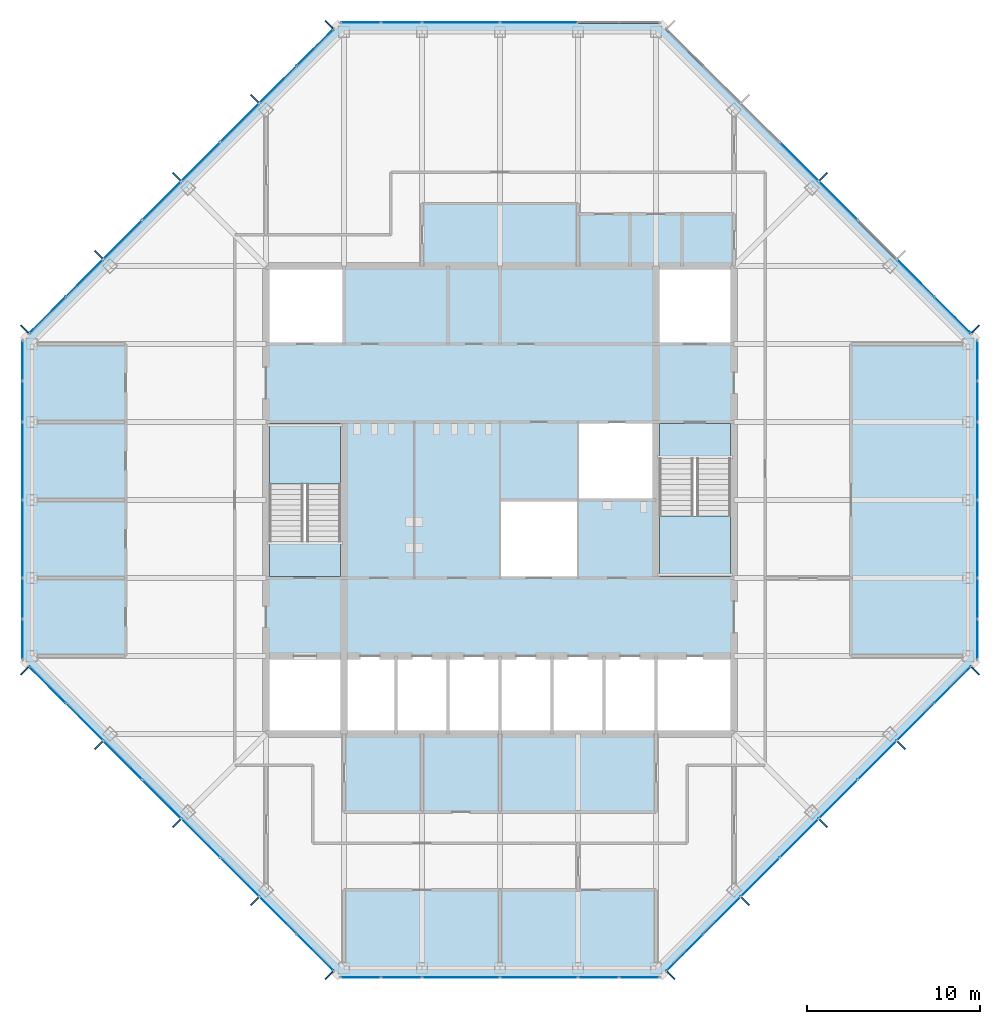
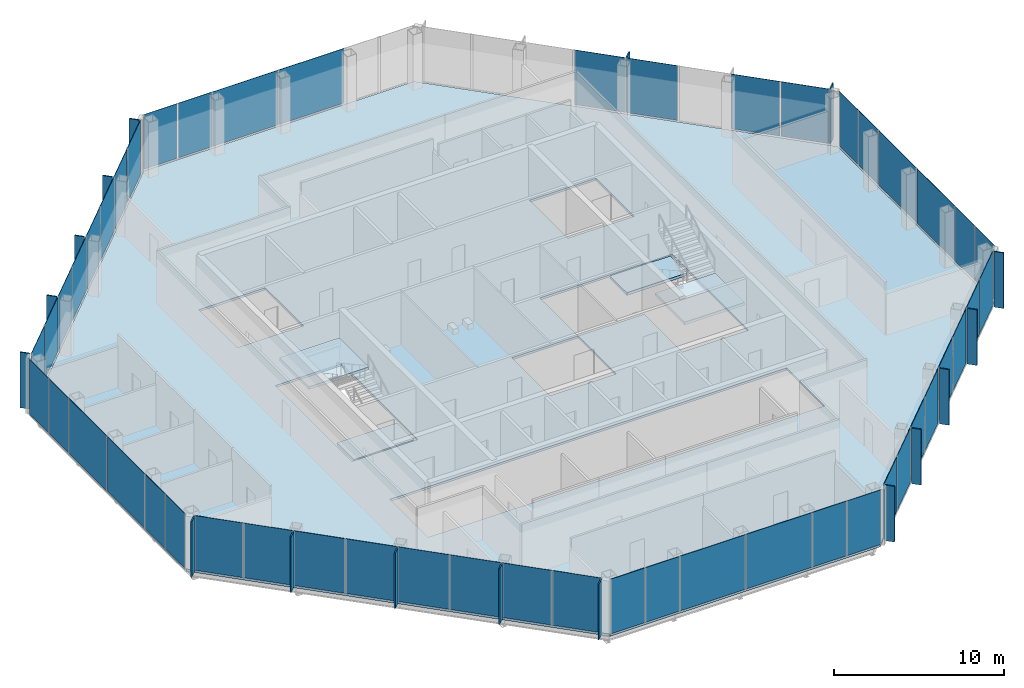
# One storey, part 8 of 14: 67 plates, 5 slabs, 10 elements without a shape of their own.
"""IFC4 building model written with IfcOpenShell, lengths in metres."""

from ifc_helpers import new_model, si_unit, direction, frame, origin, origin_2d, place, context, subcontext, project, spatial, polyline, rectangle, outline, extrude, material, layer, layer_set, type_object, element, aggregate, save


model = new_model("IFC4")

# Units and contexts
model_context = context("Model", 3, precision=1e-05, world=origin(), true_north=direction((0.0, 1.0)))
body_context = subcontext(model_context, "Body", "Model", "MODEL_VIEW")
ifc_project = project(units=[si_unit("LENGTHUNIT", "METRE"), si_unit("AREAUNIT", "SQUARE_METRE"), si_unit("VOLUMEUNIT", "CUBIC_METRE"), si_unit("PLANEANGLEUNIT", "RADIAN"), si_unit("MASSUNIT", "GRAM", prefix="KILO")], contexts=[model_context])

# Site, building, storey
site_placement = place(None, origin())
site = spatial("IfcSite", under=ifc_project, at=site_placement, CompositionType="ELEMENT")
building_placement = place(site_placement, origin())
building = spatial("IfcBuilding", under=site, at=building_placement, Name="Corais Broadcast Tower", CompositionType="ELEMENT")
storey_placement = place(building_placement, frame((0.0, 0.0, 230.60009765625)))
storey = spatial("IfcBuildingStorey", under=building, at=storey_placement, Name="L53", CompositionType="ELEMENT", Elevation=230.60009765625)

# Slab
ifc_material_1 = material(Name="Concrete C30/37", Category="concrete")
ifc_layer_1 = layer(ifc_material_1, 0.159912109375)
ifc_layer_set_1 = layer_set([ifc_layer_1], Name="Concrete C30/37")
slab_type_1 = type_object("IfcSlabType", Name="Composite floor slab 160", PredefinedType="FLOOR", material=ifc_layer_set_1)
slab_1_placement = place(storey_placement, frame((0.0, 0.0, -0.16015625)))
element("IfcSlab", 1, at=slab_1_placement, inside=storey, type_object=slab_type_1, Name="S160 floor slab L53", PredefinedType="FLOOR", context=body_context, shape_type="SweptSolid", body=[
    extrude(outline(polyline([(17.80126953125, -0.47998046875), (-0.47998046875, 17.80126953125), (-0.47998046875, 36.19873046875), (17.80126953125, 54.47998046875), (36.19873046875, 54.47998046875), (54.47998046875, 36.19873046875), (54.47998046875, 17.80126953125), (36.19873046875, -0.47998046875), (17.80126953125, -0.47998046875)]), holes=[polyline([(13.5, 18.0), (40.5, 18.0), (40.5, 13.5), (13.5, 13.5), (13.5, 18.0)]), polyline([(18.0, 22.5), (13.5, 22.5), (13.5, 31.5), (18.0, 31.5), (18.0, 22.5)]), polyline([(18.0, 36.0), (13.5, 36.0), (13.5, 40.5), (18.0, 40.5), (18.0, 36.0)]), polyline([(31.5, 22.5), (27.0, 22.5), (27.0, 27.0), (31.4951171875, 27.0), (31.4951171875, 27.0048828125), (31.5, 27.0048828125), (31.5, 31.5), (40.5, 31.5), (40.5, 22.5), (36.0, 22.5), (36.0, 27.0), (31.5048828125, 27.0), (31.5048828125, 26.9951171875), (31.5, 26.9951171875), (31.5, 22.5)]), polyline([(40.5, 36.0), (36.0, 36.0), (36.0, 40.5), (40.5, 40.5), (40.5, 36.0)])]), origin(), (0.0, 0.0, 1.0), 0.16015625),
])

# Curtain wall, plates
ifc_material_2 = material(Name="Aluminium and glass", Category="aluminium")
curtain_wall_type = type_object("IfcCurtainWallType", Name="Unitised fritted curtain wall CW3", PredefinedType="NOTDEFINED", material=ifc_material_2)
curtain_wall_1_placement = place(storey_placement, origin())
curtain_wall_1 = element("IfcCurtainWall", 2, at=curtain_wall_1_placement, inside=storey, type_object=curtain_wall_type, Name="CW3 curtain wall L53 1", PredefinedType="NOTDEFINED")
ifc_material_3 = material(Name="Ceramic-fritted laminated glass", Category="glass")
ifc_layer_2 = layer(ifc_material_3, 0.02587890625)
ifc_layer_set_2 = layer_set([ifc_layer_2], Name="Ceramic-fritted laminated glass")
plate_type_1 = type_object("IfcPlateType", Name="Fritted glass panel CW3", PredefinedType="CURTAIN_PANEL", material=ifc_layer_set_2)
plate_1_placement = place(storey_placement, frame((16.330322265625, 0.891845703125, 0.06494140625), z_axis=(0.0, 0.0, 1.0), x_axis=(-0.707106781187, 0.707106781187, 0.0)))
plate_1 = element("IfcPlate", 3, at=plate_1_placement, type_object=plate_type_1, Name="CW3 panel 1", PredefinedType="CURTAIN_PANEL", context=body_context, shape_type="SweptSolid", body=[
    extrude(rectangle(XDim=2.9482421875, YDim=0.02587890625, at=origin_2d()), origin(), (0.0, 0.0, 1.0), 3.93505859375),
])
plate_2_placement = place(storey_placement, frame((11.986083984375, 5.236083984375, 0.06494140625), z_axis=(0.0, 0.0, 1.0), x_axis=(-0.707106781187, 0.707106781187, 0.0)))
plate_2 = element("IfcPlate", 4, at=plate_2_placement, type_object=plate_type_1, Name="CW3 panel 3", PredefinedType="CURTAIN_PANEL", context=body_context, shape_type="SweptSolid", body=[
    extrude(rectangle(XDim=3.116943359375, YDim=0.02587890625, at=origin_2d()), origin(), (0.0, 0.0, 1.0), 3.93505859375),
])
plate_3_placement = place(storey_placement, frame((7.486083984375, 9.736083984375, 0.06494140625), z_axis=(0.0, 0.0, 1.0), x_axis=(-0.707106781187, 0.707106781187, 0.0)))
plate_3 = element("IfcPlate", 5, at=plate_3_placement, type_object=plate_type_1, Name="CW3 panel 5", PredefinedType="CURTAIN_PANEL", context=body_context, shape_type="SweptSolid", body=[
    extrude(rectangle(XDim=3.116943359375, YDim=0.02587890625, at=origin_2d()), origin(), (0.0, 0.0, 1.0), 3.93505859375),
])
plate_4_placement = place(storey_placement, frame((3.0341796875, 14.18798828125, 0.06494140625), z_axis=(0.0, 0.0, 1.0), x_axis=(-0.707106781187, 0.707106781187, 0.0)))
plate_4 = element("IfcPlate", 6, at=plate_4_placement, type_object=plate_type_1, Name="CW3 panel 7", PredefinedType="CURTAIN_PANEL", context=body_context, shape_type="SweptSolid", body=[
    extrude(rectangle(XDim=2.98095703125, YDim=0.02587890625, at=origin_2d()), origin(), (0.0, 0.0, 1.0), 3.93505859375),
])

curtain_wall_2_placement = place(storey_placement, origin())
curtain_wall_2 = element("IfcCurtainWall", 7, at=curtain_wall_2_placement, inside=storey, type_object=curtain_wall_type, Name="CW3 curtain wall L53 2", PredefinedType="NOTDEFINED")
plate_5_placement = place(storey_placement, frame((-0.550048828125, 18.970458984375, 0.06494140625), z_axis=(0.0, 0.0, 1.0), x_axis=(0.0, 1.0, 0.0)))
plate_5 = element("IfcPlate", 8, at=plate_5_placement, type_object=plate_type_1, Name="CW3 panel 1", PredefinedType="CURTAIN_PANEL", context=body_context, shape_type="SweptSolid", body=[
    extrude(rectangle(XDim=2.266357421875, YDim=0.02587890625, at=origin_2d()), origin(), (0.0, 0.0, 1.0), 3.93505859375),
])
plate_6_placement = place(storey_placement, frame((-0.550048828125, 24.75, 0.06494140625), z_axis=(0.0, 0.0, 1.0), x_axis=(0.0, 1.0, 0.0)))
plate_6 = element("IfcPlate", 9, at=plate_6_placement, type_object=plate_type_1, Name="CW3 panel 3", PredefinedType="CURTAIN_PANEL", context=body_context, shape_type="SweptSolid", body=[
    extrude(rectangle(XDim=4.43505859375, YDim=0.02587890625, at=origin_2d()), origin(), (0.0, 0.0, 1.0), 3.93505859375),
])
plate_7_placement = place(storey_placement, frame((-0.550048828125, 32.681884765625, 0.06494140625), z_axis=(0.0, 0.0, 1.0), x_axis=(0.0, 1.0, 0.0)))
plate_7 = element("IfcPlate", 10, at=plate_7_placement, type_object=plate_type_1, Name="CW3 panel 5", PredefinedType="CURTAIN_PANEL", context=body_context, shape_type="SweptSolid", body=[
    extrude(rectangle(XDim=2.298828125, YDim=0.02587890625, at=origin_2d()), origin(), (0.0, 0.0, 1.0), 3.93505859375),
])

curtain_wall_3_placement = place(storey_placement, origin())
curtain_wall_3 = element("IfcCurtainWall", 11, at=curtain_wall_3_placement, inside=storey, type_object=curtain_wall_type, Name="CW3 curtain wall L53 3", PredefinedType="NOTDEFINED")
plate_8_placement = place(storey_placement, frame((0.891845703125, 37.669677734375, 0.06494140625), z_axis=(0.0, 0.0, 1.0), x_axis=(0.707106781187, 0.707106781187, 0.0)))
plate_8 = element("IfcPlate", 12, at=plate_8_placement, type_object=plate_type_1, Name="CW3 panel 1", PredefinedType="CURTAIN_PANEL", context=body_context, shape_type="SweptSolid", body=[
    extrude(rectangle(XDim=2.9482421875, YDim=0.02587890625, at=origin_2d()), origin(), (0.0, 0.0, 1.0), 3.93505859375),
])
plate_9_placement = place(storey_placement, frame((5.236083984375, 42.013916015625, 0.06494140625), z_axis=(0.0, 0.0, 1.0), x_axis=(0.707106781187, 0.707106781187, 0.0)))
plate_9 = element("IfcPlate", 13, at=plate_9_placement, type_object=plate_type_1, Name="CW3 panel 3", PredefinedType="CURTAIN_PANEL", context=body_context, shape_type="SweptSolid", body=[
    extrude(rectangle(XDim=3.116943359375, YDim=0.02587890625, at=origin_2d()), origin(), (0.0, 0.0, 1.0), 3.93505859375),
])
plate_10_placement = place(storey_placement, frame((9.736083984375, 46.513916015625, 0.06494140625), z_axis=(0.0, 0.0, 1.0), x_axis=(0.707106781187, 0.707106781187, 0.0)))
plate_10 = element("IfcPlate", 14, at=plate_10_placement, type_object=plate_type_1, Name="CW3 panel 5", PredefinedType="CURTAIN_PANEL", context=body_context, shape_type="SweptSolid", body=[
    extrude(rectangle(XDim=3.116943359375, YDim=0.02587890625, at=origin_2d()), origin(), (0.0, 0.0, 1.0), 3.93505859375),
])
plate_11_placement = place(storey_placement, frame((14.18798828125, 50.9658203125, 0.06494140625), z_axis=(0.0, 0.0, 1.0), x_axis=(0.707106781187, 0.707106781187, 0.0)))
plate_11 = element("IfcPlate", 15, at=plate_11_placement, type_object=plate_type_1, Name="CW3 panel 7", PredefinedType="CURTAIN_PANEL", context=body_context, shape_type="SweptSolid", body=[
    extrude(rectangle(XDim=2.98095703125, YDim=0.02587890625, at=origin_2d()), origin(), (0.0, 0.0, 1.0), 3.93505859375),
])

curtain_wall_4_placement = place(storey_placement, origin())
curtain_wall_4 = element("IfcCurtainWall", 16, at=curtain_wall_4_placement, inside=storey, type_object=curtain_wall_type, Name="CW3 curtain wall L53 4", PredefinedType="NOTDEFINED")
plate_12_placement = place(storey_placement, frame((18.970458984375, 54.550048828125, 0.06494140625), z_axis=(0.0, 0.0, 1.0), x_axis=(1.0, 0.0, 0.0)))
plate_12 = element("IfcPlate", 17, at=plate_12_placement, type_object=plate_type_1, Name="CW3 panel 1", PredefinedType="CURTAIN_PANEL", context=body_context, shape_type="SweptSolid", body=[
    extrude(rectangle(XDim=2.266357421875, YDim=0.02587890625, at=origin_2d()), origin(), (0.0, 0.0, 1.0), 3.93505859375),
])
plate_13_placement = place(storey_placement, frame((24.75, 54.550048828125, 0.06494140625), z_axis=(0.0, 0.0, 1.0), x_axis=(1.0, 0.0, 0.0)))
plate_13 = element("IfcPlate", 18, at=plate_13_placement, type_object=plate_type_1, Name="CW3 panel 3", PredefinedType="CURTAIN_PANEL", context=body_context, shape_type="SweptSolid", body=[
    extrude(rectangle(XDim=4.43505859375, YDim=0.02587890625, at=origin_2d()), origin(), (0.0, 0.0, 1.0), 3.93505859375),
])

curtain_wall_5_placement = place(storey_placement, origin())
curtain_wall_5 = element("IfcCurtainWall", 19, at=curtain_wall_5_placement, inside=storey, type_object=curtain_wall_type, Name="CW3 curtain wall L53 5", PredefinedType="NOTDEFINED")
plate_14_placement = place(storey_placement, frame((46.513916015625, 44.263916015625, 0.06494140625), z_axis=(0.0, 0.0, 1.0), x_axis=(0.707106781187, -0.707106781187, 0.0)))
plate_14 = element("IfcPlate", 20, at=plate_14_placement, type_object=plate_type_1, Name="CW3 panel 5", PredefinedType="CURTAIN_PANEL", context=body_context, shape_type="SweptSolid", body=[
    extrude(rectangle(XDim=3.116943359375, YDim=0.02587890625, at=origin_2d()), origin(), (0.0, 0.0, 1.0), 3.93505859375),
])
plate_15_placement = place(storey_placement, frame((50.9658203125, 39.81201171875, 0.06494140625), z_axis=(0.0, 0.0, 1.0), x_axis=(0.707106781187, -0.707106781187, 0.0)))
plate_15 = element("IfcPlate", 21, at=plate_15_placement, type_object=plate_type_1, Name="CW3 panel 7", PredefinedType="CURTAIN_PANEL", context=body_context, shape_type="SweptSolid", body=[
    extrude(rectangle(XDim=2.98095703125, YDim=0.02587890625, at=origin_2d()), origin(), (0.0, 0.0, 1.0), 3.93505859375),
])

curtain_wall_6_placement = place(storey_placement, origin())
curtain_wall_6 = element("IfcCurtainWall", 22, at=curtain_wall_6_placement, inside=storey, type_object=curtain_wall_type, Name="CW3 curtain wall L53 6", PredefinedType="NOTDEFINED")
plate_16_placement = place(storey_placement, frame((54.550048828125, 35.029541015625, 0.06494140625), z_axis=(0.0, 0.0, 1.0), x_axis=(0.0, -1.0, 0.0)))
plate_16 = element("IfcPlate", 23, at=plate_16_placement, type_object=plate_type_1, Name="CW3 panel 1", PredefinedType="CURTAIN_PANEL", context=body_context, shape_type="SweptSolid", body=[
    extrude(rectangle(XDim=2.266357421875, YDim=0.02587890625, at=origin_2d()), origin(), (0.0, 0.0, 1.0), 3.93505859375),
])
plate_17_placement = place(storey_placement, frame((54.550048828125, 29.25, 0.06494140625), z_axis=(0.0, 0.0, 1.0), x_axis=(0.0, -1.0, 0.0)))
plate_17 = element("IfcPlate", 24, at=plate_17_placement, type_object=plate_type_1, Name="CW3 panel 3", PredefinedType="CURTAIN_PANEL", context=body_context, shape_type="SweptSolid", body=[
    extrude(rectangle(XDim=4.43505859375, YDim=0.02587890625, at=origin_2d()), origin(), (0.0, 0.0, 1.0), 3.93505859375),
])
plate_18_placement = place(storey_placement, frame((54.550048828125, 21.318115234375, 0.06494140625), z_axis=(0.0, 0.0, 1.0), x_axis=(0.0, -1.0, 0.0)))
plate_18 = element("IfcPlate", 25, at=plate_18_placement, type_object=plate_type_1, Name="CW3 panel 5", PredefinedType="CURTAIN_PANEL", context=body_context, shape_type="SweptSolid", body=[
    extrude(rectangle(XDim=2.298828125, YDim=0.02587890625, at=origin_2d()), origin(), (0.0, 0.0, 1.0), 3.93505859375),
])

curtain_wall_7_placement = place(storey_placement, origin())
curtain_wall_7 = element("IfcCurtainWall", 26, at=curtain_wall_7_placement, inside=storey, type_object=curtain_wall_type, Name="CW3 curtain wall L53 7", PredefinedType="NOTDEFINED")
plate_19_placement = place(storey_placement, frame((53.108154296875, 16.330322265625, 0.06494140625), z_axis=(0.0, 0.0, 1.0), x_axis=(-0.707106781187, -0.707106781187, 0.0)))
plate_19 = element("IfcPlate", 27, at=plate_19_placement, type_object=plate_type_1, Name="CW3 panel 1", PredefinedType="CURTAIN_PANEL", context=body_context, shape_type="SweptSolid", body=[
    extrude(rectangle(XDim=2.9482421875, YDim=0.02587890625, at=origin_2d()), origin(), (0.0, 0.0, 1.0), 3.93505859375),
])
plate_20_placement = place(storey_placement, frame((48.763916015625, 11.986083984375, 0.06494140625), z_axis=(0.0, 0.0, 1.0), x_axis=(-0.707106781187, -0.707106781187, 0.0)))
plate_20 = element("IfcPlate", 28, at=plate_20_placement, type_object=plate_type_1, Name="CW3 panel 3", PredefinedType="CURTAIN_PANEL", context=body_context, shape_type="SweptSolid", body=[
    extrude(rectangle(XDim=3.116943359375, YDim=0.02587890625, at=origin_2d()), origin(), (0.0, 0.0, 1.0), 3.93505859375),
])
plate_21_placement = place(storey_placement, frame((44.263916015625, 7.486083984375, 0.06494140625), z_axis=(0.0, 0.0, 1.0), x_axis=(-0.707106781187, -0.707106781187, 0.0)))
plate_21 = element("IfcPlate", 29, at=plate_21_placement, type_object=plate_type_1, Name="CW3 panel 5", PredefinedType="CURTAIN_PANEL", context=body_context, shape_type="SweptSolid", body=[
    extrude(rectangle(XDim=3.116943359375, YDim=0.02587890625, at=origin_2d()), origin(), (0.0, 0.0, 1.0), 3.93505859375),
])
plate_22_placement = place(storey_placement, frame((39.81201171875, 3.0341796875, 0.06494140625), z_axis=(0.0, 0.0, 1.0), x_axis=(-0.707106781187, -0.707106781187, 0.0)))
plate_22 = element("IfcPlate", 30, at=plate_22_placement, type_object=plate_type_1, Name="CW3 panel 7", PredefinedType="CURTAIN_PANEL", context=body_context, shape_type="SweptSolid", body=[
    extrude(rectangle(XDim=2.98095703125, YDim=0.02587890625, at=origin_2d()), origin(), (0.0, 0.0, 1.0), 3.93505859375),
])

curtain_wall_8_placement = place(storey_placement, origin())
curtain_wall_8 = element("IfcCurtainWall", 31, at=curtain_wall_8_placement, inside=storey, type_object=curtain_wall_type, Name="CW3 curtain wall L53 8", PredefinedType="NOTDEFINED")
plate_23_placement = place(storey_placement, frame((35.029541015625, -0.550048828125, 0.06494140625), z_axis=(0.0, 0.0, 1.0), x_axis=(-1.0, 0.0, 0.0)))
plate_23 = element("IfcPlate", 32, at=plate_23_placement, type_object=plate_type_1, Name="CW3 panel 1", PredefinedType="CURTAIN_PANEL", context=body_context, shape_type="SweptSolid", body=[
    extrude(rectangle(XDim=2.266357421875, YDim=0.02587890625, at=origin_2d()), origin(), (0.0, 0.0, 1.0), 3.93505859375),
])
plate_24_placement = place(storey_placement, frame((29.25, -0.550048828125, 0.06494140625), z_axis=(0.0, 0.0, 1.0), x_axis=(-1.0, 0.0, 0.0)))
plate_24 = element("IfcPlate", 33, at=plate_24_placement, type_object=plate_type_1, Name="CW3 panel 3", PredefinedType="CURTAIN_PANEL", context=body_context, shape_type="SweptSolid", body=[
    extrude(rectangle(XDim=4.43505859375, YDim=0.02587890625, at=origin_2d()), origin(), (0.0, 0.0, 1.0), 3.93505859375),
])
plate_25_placement = place(storey_placement, frame((21.318115234375, -0.550048828125, 0.06494140625), z_axis=(0.0, 0.0, 1.0), x_axis=(-1.0, 0.0, 0.0)))
plate_25 = element("IfcPlate", 34, at=plate_25_placement, type_object=plate_type_1, Name="CW3 panel 5", PredefinedType="CURTAIN_PANEL", context=body_context, shape_type="SweptSolid", body=[
    extrude(rectangle(XDim=2.298828125, YDim=0.02587890625, at=origin_2d()), origin(), (0.0, 0.0, 1.0), 3.93505859375),
])

# Plate
ifc_material_4 = material(Name="Clear laminated glass", Category="glass")
ifc_layer_3 = layer(ifc_material_4, 0.030029296875)
ifc_layer_set_3 = layer_set([ifc_layer_3], Name="Clear laminated glass")
plate_type_2 = type_object("IfcPlateType", Name="Operable glass panel CW3", PredefinedType="CURTAIN_PANEL", material=ifc_layer_set_3)
plate_26_placement = place(storey_placement, frame((14.18798828125, 3.0341796875, 0.06494140625), z_axis=(0.0, 0.0, 1.0), x_axis=(-0.707106781187, 0.707106781187, 0.0)))
plate_26 = element("IfcPlate", 35, at=plate_26_placement, type_object=plate_type_2, Name="CW3 operable panel 2", PredefinedType="CURTAIN_PANEL", context=body_context, shape_type="SweptSolid", body=[
    extrude(rectangle(XDim=2.98095703125, YDim=0.030029296875, at=origin_2d()), origin(), (0.0, 0.0, 1.0), 3.93505859375),
])

plate_27_placement = place(storey_placement, frame((9.736083984375, 7.486083984375, 0.06494140625), z_axis=(0.0, 0.0, 1.0), x_axis=(-0.707106781187, 0.707106781187, 0.0)))
plate_27 = element("IfcPlate", 36, at=plate_27_placement, type_object=plate_type_2, Name="CW3 operable panel 4", PredefinedType="CURTAIN_PANEL", context=body_context, shape_type="SweptSolid", body=[
    extrude(rectangle(XDim=3.116943359375, YDim=0.030029296875, at=origin_2d()), origin(), (0.0, 0.0, 1.0), 3.93505859375),
])

plate_28_placement = place(storey_placement, frame((5.236083984375, 11.986083984375, 0.06494140625), z_axis=(0.0, 0.0, 1.0), x_axis=(-0.707106781187, 0.707106781187, 0.0)))
plate_28 = element("IfcPlate", 37, at=plate_28_placement, type_object=plate_type_2, Name="CW3 operable panel 6", PredefinedType="CURTAIN_PANEL", context=body_context, shape_type="SweptSolid", body=[
    extrude(rectangle(XDim=3.116943359375, YDim=0.030029296875, at=origin_2d()), origin(), (0.0, 0.0, 1.0), 3.93505859375),
])

plate_29_placement = place(storey_placement, frame((0.89208984375, 16.330322265625, 0.06494140625), z_axis=(0.0, 0.0, 1.0), x_axis=(-0.707106781187, 0.707106781187, 0.0)))
plate_29 = element("IfcPlate", 38, at=plate_29_placement, type_object=plate_type_2, Name="CW3 operable panel 8", PredefinedType="CURTAIN_PANEL", context=body_context, shape_type="SweptSolid", body=[
    extrude(rectangle(XDim=2.948486328125, YDim=0.030029296875, at=origin_2d()), origin(), (0.0, 0.0, 1.0), 3.93505859375),
])

aggregate(curtain_wall_1, [plate_1, plate_26, plate_2, plate_27, plate_3, plate_28, plate_4, plate_29])

plate_30_placement = place(storey_placement, frame((-0.550048828125, 21.318115234375, 0.06494140625), z_axis=(0.0, 0.0, 1.0), x_axis=(0.0, 1.0, 0.0)))
plate_30 = element("IfcPlate", 39, at=plate_30_placement, type_object=plate_type_2, Name="CW3 operable panel 2", PredefinedType="CURTAIN_PANEL", context=body_context, shape_type="SweptSolid", body=[
    extrude(rectangle(XDim=2.298828125, YDim=0.030029296875, at=origin_2d()), origin(), (0.0, 0.0, 1.0), 3.93505859375),
])

plate_31_placement = place(storey_placement, frame((-0.550048828125, 29.25, 0.06494140625), z_axis=(0.0, 0.0, 1.0), x_axis=(0.0, 1.0, 0.0)))
plate_31 = element("IfcPlate", 40, at=plate_31_placement, type_object=plate_type_2, Name="CW3 operable panel 4", PredefinedType="CURTAIN_PANEL", context=body_context, shape_type="SweptSolid", body=[
    extrude(rectangle(XDim=4.43505859375, YDim=0.030029296875, at=origin_2d()), origin(), (0.0, 0.0, 1.0), 3.93505859375),
])

plate_32_placement = place(storey_placement, frame((-0.550048828125, 35.029541015625, 0.06494140625), z_axis=(0.0, 0.0, 1.0), x_axis=(0.0, 1.0, 0.0)))
plate_32 = element("IfcPlate", 41, at=plate_32_placement, type_object=plate_type_2, Name="CW3 operable panel 6", PredefinedType="CURTAIN_PANEL", context=body_context, shape_type="SweptSolid", body=[
    extrude(rectangle(XDim=2.266357421875, YDim=0.030029296875, at=origin_2d()), origin(), (0.0, 0.0, 1.0), 3.93505859375),
])

aggregate(curtain_wall_2, [plate_5, plate_30, plate_6, plate_31, plate_7, plate_32])

plate_33_placement = place(storey_placement, frame((3.0341796875, 39.81201171875, 0.06494140625), z_axis=(0.0, 0.0, 1.0), x_axis=(0.707106781187, 0.707106781187, 0.0)))
plate_33 = element("IfcPlate", 42, at=plate_33_placement, type_object=plate_type_2, Name="CW3 operable panel 2", PredefinedType="CURTAIN_PANEL", context=body_context, shape_type="SweptSolid", body=[
    extrude(rectangle(XDim=2.98095703125, YDim=0.030029296875, at=origin_2d()), origin(), (0.0, 0.0, 1.0), 3.93505859375),
])

plate_34_placement = place(storey_placement, frame((7.486083984375, 44.263916015625, 0.06494140625), z_axis=(0.0, 0.0, 1.0), x_axis=(0.707106781187, 0.707106781187, 0.0)))
plate_34 = element("IfcPlate", 43, at=plate_34_placement, type_object=plate_type_2, Name="CW3 operable panel 4", PredefinedType="CURTAIN_PANEL", context=body_context, shape_type="SweptSolid", body=[
    extrude(rectangle(XDim=3.116943359375, YDim=0.030029296875, at=origin_2d()), origin(), (0.0, 0.0, 1.0), 3.93505859375),
])

plate_35_placement = place(storey_placement, frame((11.986083984375, 48.763916015625, 0.06494140625), z_axis=(0.0, 0.0, 1.0), x_axis=(0.707106781187, 0.707106781187, 0.0)))
plate_35 = element("IfcPlate", 44, at=plate_35_placement, type_object=plate_type_2, Name="CW3 operable panel 6", PredefinedType="CURTAIN_PANEL", context=body_context, shape_type="SweptSolid", body=[
    extrude(rectangle(XDim=3.116943359375, YDim=0.030029296875, at=origin_2d()), origin(), (0.0, 0.0, 1.0), 3.93505859375),
])

plate_36_placement = place(storey_placement, frame((16.330322265625, 53.10791015625, 0.06494140625), z_axis=(0.0, 0.0, 1.0), x_axis=(0.707106781187, 0.707106781187, 0.0)))
plate_36 = element("IfcPlate", 45, at=plate_36_placement, type_object=plate_type_2, Name="CW3 operable panel 8", PredefinedType="CURTAIN_PANEL", context=body_context, shape_type="SweptSolid", body=[
    extrude(rectangle(XDim=2.948486328125, YDim=0.030029296875, at=origin_2d()), origin(), (0.0, 0.0, 1.0), 3.93505859375),
])

aggregate(curtain_wall_3, [plate_8, plate_33, plate_9, plate_34, plate_10, plate_35, plate_11, plate_36])

plate_37_placement = place(storey_placement, frame((21.318115234375, 54.550048828125, 0.06494140625), z_axis=(0.0, 0.0, 1.0), x_axis=(1.0, 0.0, 0.0)))
plate_37 = element("IfcPlate", 46, at=plate_37_placement, type_object=plate_type_2, Name="CW3 operable panel 2", PredefinedType="CURTAIN_PANEL", context=body_context, shape_type="SweptSolid", body=[
    extrude(rectangle(XDim=2.298828125, YDim=0.030029296875, at=origin_2d()), origin(), (0.0, 0.0, 1.0), 3.93505859375),
])

plate_38_placement = place(storey_placement, frame((29.25, 54.550048828125, 0.06494140625), z_axis=(0.0, 0.0, 1.0), x_axis=(1.0, 0.0, 0.0)))
plate_38 = element("IfcPlate", 47, at=plate_38_placement, type_object=plate_type_2, Name="CW3 operable panel 4", PredefinedType="CURTAIN_PANEL", context=body_context, shape_type="SweptSolid", body=[
    extrude(rectangle(XDim=4.43505859375, YDim=0.030029296875, at=origin_2d()), origin(), (0.0, 0.0, 1.0), 3.93505859375),
])

aggregate(curtain_wall_4, [plate_12, plate_37, plate_13, plate_38])

plate_39_placement = place(storey_placement, frame((44.263916015625, 46.513916015625, 0.06494140625), z_axis=(0.0, 0.0, 1.0), x_axis=(0.707106781187, -0.707106781187, 0.0)))
plate_39 = element("IfcPlate", 48, at=plate_39_placement, type_object=plate_type_2, Name="CW3 operable panel 4", PredefinedType="CURTAIN_PANEL", context=body_context, shape_type="SweptSolid", body=[
    extrude(rectangle(XDim=3.116943359375, YDim=0.030029296875, at=origin_2d()), origin(), (0.0, 0.0, 1.0), 3.93505859375),
])

plate_40_placement = place(storey_placement, frame((53.10791015625, 37.669677734375, 0.06494140625), z_axis=(0.0, 0.0, 1.0), x_axis=(0.707106781187, -0.707106781187, 0.0)))
plate_40 = element("IfcPlate", 49, at=plate_40_placement, type_object=plate_type_2, Name="CW3 operable panel 8", PredefinedType="CURTAIN_PANEL", context=body_context, shape_type="SweptSolid", body=[
    extrude(rectangle(XDim=2.948486328125, YDim=0.030029296875, at=origin_2d()), origin(), (0.0, 0.0, 1.0), 3.93505859375),
])

aggregate(curtain_wall_5, [plate_39, plate_14, plate_15, plate_40])

plate_41_placement = place(storey_placement, frame((54.550048828125, 32.681884765625, 0.06494140625), z_axis=(0.0, 0.0, 1.0), x_axis=(0.0, -1.0, 0.0)))
plate_41 = element("IfcPlate", 50, at=plate_41_placement, type_object=plate_type_2, Name="CW3 operable panel 2", PredefinedType="CURTAIN_PANEL", context=body_context, shape_type="SweptSolid", body=[
    extrude(rectangle(XDim=2.298828125, YDim=0.030029296875, at=origin_2d()), origin(), (0.0, 0.0, 1.0), 3.93505859375),
])

plate_42_placement = place(storey_placement, frame((54.550048828125, 24.75, 0.06494140625), z_axis=(0.0, 0.0, 1.0), x_axis=(0.0, -1.0, 0.0)))
plate_42 = element("IfcPlate", 51, at=plate_42_placement, type_object=plate_type_2, Name="CW3 operable panel 4", PredefinedType="CURTAIN_PANEL", context=body_context, shape_type="SweptSolid", body=[
    extrude(rectangle(XDim=4.43505859375, YDim=0.030029296875, at=origin_2d()), origin(), (0.0, 0.0, 1.0), 3.93505859375),
])

plate_43_placement = place(storey_placement, frame((54.550048828125, 18.970458984375, 0.06494140625), z_axis=(0.0, 0.0, 1.0), x_axis=(0.0, -1.0, 0.0)))
plate_43 = element("IfcPlate", 52, at=plate_43_placement, type_object=plate_type_2, Name="CW3 operable panel 6", PredefinedType="CURTAIN_PANEL", context=body_context, shape_type="SweptSolid", body=[
    extrude(rectangle(XDim=2.266357421875, YDim=0.030029296875, at=origin_2d()), origin(), (0.0, 0.0, 1.0), 3.93505859375),
])

aggregate(curtain_wall_6, [plate_16, plate_41, plate_17, plate_42, plate_18, plate_43])

plate_44_placement = place(storey_placement, frame((50.9658203125, 14.18798828125, 0.06494140625), z_axis=(0.0, 0.0, 1.0), x_axis=(-0.707106781187, -0.707106781187, 0.0)))
plate_44 = element("IfcPlate", 53, at=plate_44_placement, type_object=plate_type_2, Name="CW3 operable panel 2", PredefinedType="CURTAIN_PANEL", context=body_context, shape_type="SweptSolid", body=[
    extrude(rectangle(XDim=2.98095703125, YDim=0.030029296875, at=origin_2d()), origin(), (0.0, 0.0, 1.0), 3.93505859375),
])

plate_45_placement = place(storey_placement, frame((46.513916015625, 9.736083984375, 0.06494140625), z_axis=(0.0, 0.0, 1.0), x_axis=(-0.707106781187, -0.707106781187, 0.0)))
plate_45 = element("IfcPlate", 54, at=plate_45_placement, type_object=plate_type_2, Name="CW3 operable panel 4", PredefinedType="CURTAIN_PANEL", context=body_context, shape_type="SweptSolid", body=[
    extrude(rectangle(XDim=3.116943359375, YDim=0.030029296875, at=origin_2d()), origin(), (0.0, 0.0, 1.0), 3.93505859375),
])

plate_46_placement = place(storey_placement, frame((42.013916015625, 5.236083984375, 0.06494140625), z_axis=(0.0, 0.0, 1.0), x_axis=(-0.707106781187, -0.707106781187, 0.0)))
plate_46 = element("IfcPlate", 55, at=plate_46_placement, type_object=plate_type_2, Name="CW3 operable panel 6", PredefinedType="CURTAIN_PANEL", context=body_context, shape_type="SweptSolid", body=[
    extrude(rectangle(XDim=3.116943359375, YDim=0.030029296875, at=origin_2d()), origin(), (0.0, 0.0, 1.0), 3.93505859375),
])

plate_47_placement = place(storey_placement, frame((37.669677734375, 0.89208984375, 0.06494140625), z_axis=(0.0, 0.0, 1.0), x_axis=(-0.707106781187, -0.707106781187, 0.0)))
plate_47 = element("IfcPlate", 56, at=plate_47_placement, type_object=plate_type_2, Name="CW3 operable panel 8", PredefinedType="CURTAIN_PANEL", context=body_context, shape_type="SweptSolid", body=[
    extrude(rectangle(XDim=2.948486328125, YDim=0.030029296875, at=origin_2d()), origin(), (0.0, 0.0, 1.0), 3.93505859375),
])

aggregate(curtain_wall_7, [plate_19, plate_44, plate_20, plate_45, plate_21, plate_46, plate_22, plate_47])

plate_48_placement = place(storey_placement, frame((32.681884765625, -0.550048828125, 0.06494140625), z_axis=(0.0, 0.0, 1.0), x_axis=(-1.0, 0.0, 0.0)))
plate_48 = element("IfcPlate", 57, at=plate_48_placement, type_object=plate_type_2, Name="CW3 operable panel 2", PredefinedType="CURTAIN_PANEL", context=body_context, shape_type="SweptSolid", body=[
    extrude(rectangle(XDim=2.298828125, YDim=0.030029296875, at=origin_2d()), origin(), (0.0, 0.0, 1.0), 3.93505859375),
])

plate_49_placement = place(storey_placement, frame((24.75, -0.550048828125, 0.06494140625), z_axis=(0.0, 0.0, 1.0), x_axis=(-1.0, 0.0, 0.0)))
plate_49 = element("IfcPlate", 58, at=plate_49_placement, type_object=plate_type_2, Name="CW3 operable panel 4", PredefinedType="CURTAIN_PANEL", context=body_context, shape_type="SweptSolid", body=[
    extrude(rectangle(XDim=4.43505859375, YDim=0.030029296875, at=origin_2d()), origin(), (0.0, 0.0, 1.0), 3.93505859375),
])

plate_50_placement = place(storey_placement, frame((18.970458984375, -0.550048828125, 0.06494140625), z_axis=(0.0, 0.0, 1.0), x_axis=(-1.0, 0.0, 0.0)))
plate_50 = element("IfcPlate", 59, at=plate_50_placement, type_object=plate_type_2, Name="CW3 operable panel 6", PredefinedType="CURTAIN_PANEL", context=body_context, shape_type="SweptSolid", body=[
    extrude(rectangle(XDim=2.266357421875, YDim=0.030029296875, at=origin_2d()), origin(), (0.0, 0.0, 1.0), 3.93505859375),
])

aggregate(curtain_wall_8, [plate_23, plate_48, plate_24, plate_49, plate_25, plate_50])

# Stair, slabs
ifc_material_5 = material(Name="Concrete C30/37", Category="concrete")
stair_type = type_object("IfcStairType", Name="Half-turn stair 4000", PredefinedType="HALF_TURN_STAIR", material=ifc_material_5)
stair_1_placement = place(storey_placement, origin())
stair_1 = element("IfcStair", 60, at=stair_1_placement, inside=storey, type_object=stair_type, Name="Stair A L53", PredefinedType="HALF_TURN_STAIR")
ifc_material_6 = material(Name="Concrete C30/37", Category="concrete")
ifc_layer_4 = layer(ifc_material_6, 0.199951171875)
ifc_layer_set_4 = layer_set([ifc_layer_4], Name="Concrete C30/37")
slab_type_2 = type_object("IfcSlabType", Name="Stair landing 200", PredefinedType="LANDING", material=ifc_layer_set_4)
slab_2_placement = place(storey_placement, frame((0.0, 0.0, -0.2001953125)))
slab_2 = element("IfcSlab", 61, at=slab_2_placement, type_object=slab_type_2, Name="STA landing 1", PredefinedType="LANDING", context=body_context, shape_type="SweptSolid", body=[
    extrude(outline(polyline([(13.699951171875, 22.60009765625), (17.800048828125, 22.60009765625), (17.800048828125, 24.60009765625), (13.699951171875, 24.60009765625), (13.699951171875, 22.60009765625)])), origin(), (0.0, 0.0, 1.0), 0.2001953125),
])
slab_3_placement = place(storey_placement, frame((0.0, 0.0, 1.7998046875)))
slab_3 = element("IfcSlab", 62, at=slab_3_placement, type_object=slab_type_2, Name="STA landing 2", PredefinedType="LANDING", context=body_context, shape_type="SweptSolid", body=[
    extrude(outline(polyline([(13.699951171875, 27.922119140625), (17.800048828125, 27.922119140625), (17.800048828125, 31.39990234375), (13.699951171875, 31.39990234375), (13.699951171875, 27.922119140625)])), origin(), (0.0, 0.0, 1.0), 0.2001953125),
])
aggregate(stair_1, [slab_2, slab_3])

stair_2_placement = place(storey_placement, origin())
stair_2 = element("IfcStair", 63, at=stair_2_placement, inside=storey, type_object=stair_type, Name="Stair B L53", PredefinedType="HALF_TURN_STAIR")
slab_4_placement = place(storey_placement, frame((0.0, 0.0, -0.2001953125)))
slab_4 = element("IfcSlab", 64, at=slab_4_placement, type_object=slab_type_2, Name="STB landing 1", PredefinedType="LANDING", context=body_context, shape_type="SweptSolid", body=[
    extrude(outline(polyline([(36.199951171875, 29.39990234375), (40.300048828125, 29.39990234375), (40.300048828125, 31.39990234375), (36.199951171875, 31.39990234375), (36.199951171875, 29.39990234375)])), origin(), (0.0, 0.0, 1.0), 0.2001953125),
])
slab_5_placement = place(storey_placement, frame((0.0, 0.0, 1.7998046875)))
slab_5 = element("IfcSlab", 65, at=slab_5_placement, type_object=slab_type_2, Name="STB landing 2", PredefinedType="LANDING", context=body_context, shape_type="SweptSolid", body=[
    extrude(outline(polyline([(36.199951171875, 22.60009765625), (40.300048828125, 22.60009765625), (40.300048828125, 26.077880859375), (36.199951171875, 26.077880859375), (36.199951171875, 22.60009765625)])), origin(), (0.0, 0.0, 1.0), 0.2001953125),
])
aggregate(stair_2, [slab_4, slab_5])

# Plates
ifc_material_7 = material(Name="Granite stone cladding", Category="masonry")
ifc_layer_5 = layer(ifc_material_7, 0.080078125)
ifc_layer_set_5 = layer_set([ifc_layer_5], Name="Granite stone cladding")
plate_type_3 = type_object("IfcPlateType", Name="Stone screen fin 80x600", PredefinedType="USERDEFINED", material=ifc_layer_set_5)
for number, where, z_axis, x_axis, name in (
    (66, (17.129150390625, -0.43994140625, 0.0), (0.0, 0.0, 1.0), (-0.707106781187, 0.707106781187, 0.0), "SF1 stone screen fin L53"),
    (67, (12.844482421875, 3.844482421875, 0.0), (0.0, 0.0, 1.0), (-0.707106781187, 0.707106781187, 0.0), "SF1 stone screen fin L53"),
    (68, (8.344482421875, 8.344482421875, 0.0), (0.0, 0.0, 1.0), (-0.707106781187, 0.707106781187, 0.0), "SF1 stone screen fin L53"),
    (69, (3.844482421875, 12.844482421875, 0.0), (0.0, 0.0, 1.0), (-0.707106781187, 0.707106781187, 0.0), "SF1 stone screen fin L53"),
    (70, (-0.43994140625, 17.129150390625, 0.0), (0.0, 0.0, 1.0), (-0.707106781187, 0.707106781187, 0.0), "SF1 stone screen fin L53"),
    (71, (-0.43994140625, 36.870849609375, 0.0), (0.0, 0.0, 1.0), (0.707106781187, 0.707106781187, 0.0), "SF1 stone screen fin L53"),
    (72, (3.844482421875, 41.155517578125, 0.0), (0.0, 0.0, 1.0), (0.707106781187, 0.707106781187, 0.0), "SF1 stone screen fin L53"),
    (73, (8.344482421875, 45.655517578125, 0.0), (0.0, 0.0, 1.0), (0.707106781187, 0.707106781187, 0.0), "SF1 stone screen fin L53"),
    (74, (12.844482421875, 50.155517578125, 0.0), (0.0, 0.0, 1.0), (0.707106781187, 0.707106781187, 0.0), "SF1 stone screen fin L53"),
    (75, (17.129150390625, 54.43994140625, 0.0), (0.0, 0.0, 1.0), (0.707106781187, 0.707106781187, 0.0), "SF1 stone screen fin L53"),
    (76, (45.655517578125, 45.655517578125, 0.0), (0.0, 0.0, 1.0), (0.707106781187, -0.707106781187, 0.0), "SF1 stone screen fin L53"),
    (77, (54.43994140625, 36.870849609375, 0.0), (0.0, 0.0, 1.0), (0.707106781187, -0.707106781187, 0.0), "SF1 stone screen fin L53"),
    (78, (54.43994140625, 17.129150390625, 0.0), (0.0, 0.0, 1.0), (-0.707106781187, -0.707106781187, 0.0), "SF1 stone screen fin L53"),
    (79, (50.155517578125, 12.844482421875, 0.0), (0.0, 0.0, 1.0), (-0.707106781187, -0.707106781187, 0.0), "SF1 stone screen fin L53"),
    (80, (45.655517578125, 8.344482421875, 0.0), (0.0, 0.0, 1.0), (-0.707106781187, -0.707106781187, 0.0), "SF1 stone screen fin L53"),
    (81, (41.155517578125, 3.844482421875, 0.0), (0.0, 0.0, 1.0), (-0.707106781187, -0.707106781187, 0.0), "SF1 stone screen fin L53"),
    (82, (36.870849609375, -0.43994140625, 0.0), (0.0, 0.0, 1.0), (-0.707106781187, -0.707106781187, 0.0), "SF1 stone screen fin L53"),
):
    element("IfcPlate", number, at=place(storey_placement, frame(where, z_axis=z_axis, x_axis=x_axis)), inside=storey, type_object=plate_type_3, Name=name, ObjectType="STONE SCREEN FIN", PredefinedType="USERDEFINED", context=body_context, shape_type="SweptSolid", body=[
        extrude(rectangle(XDim=0.080078125, YDim=0.60009765625, at=origin_2d()), origin(), (0.0, 0.0, 1.0), 4.0),
    ])

save(model, "model.ifc")
